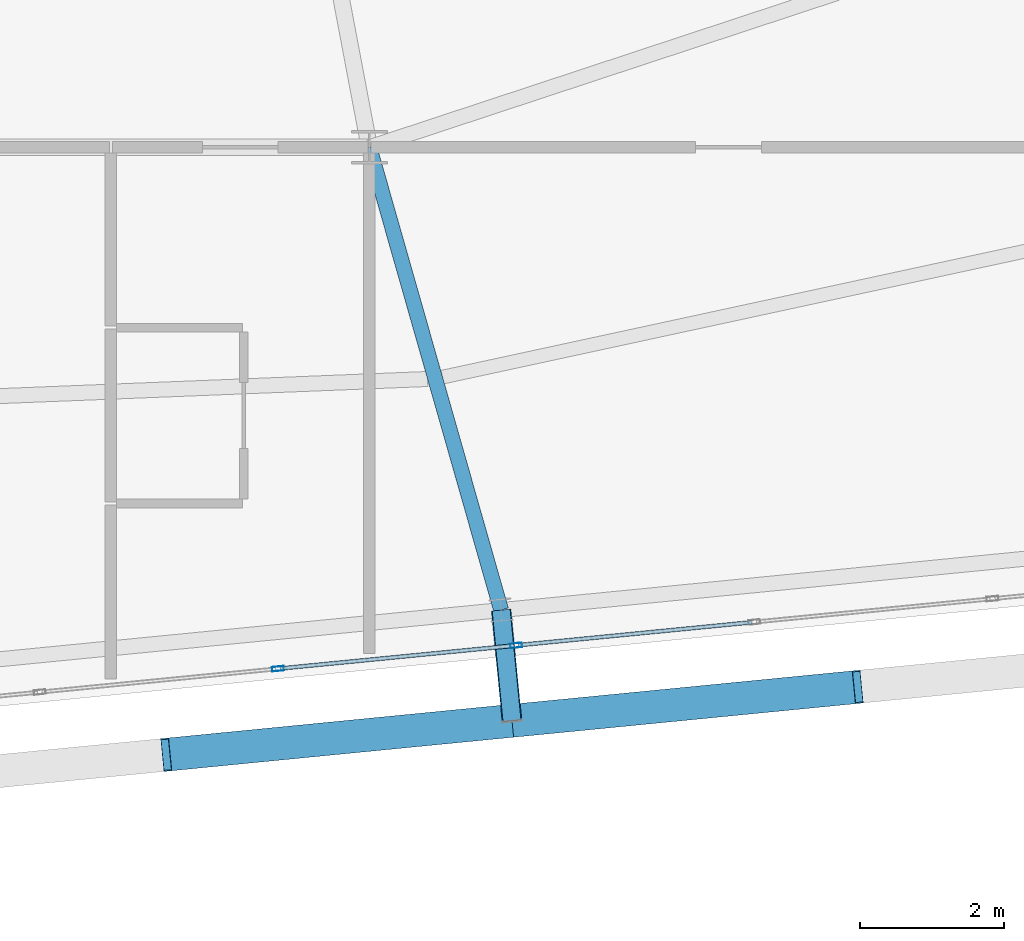
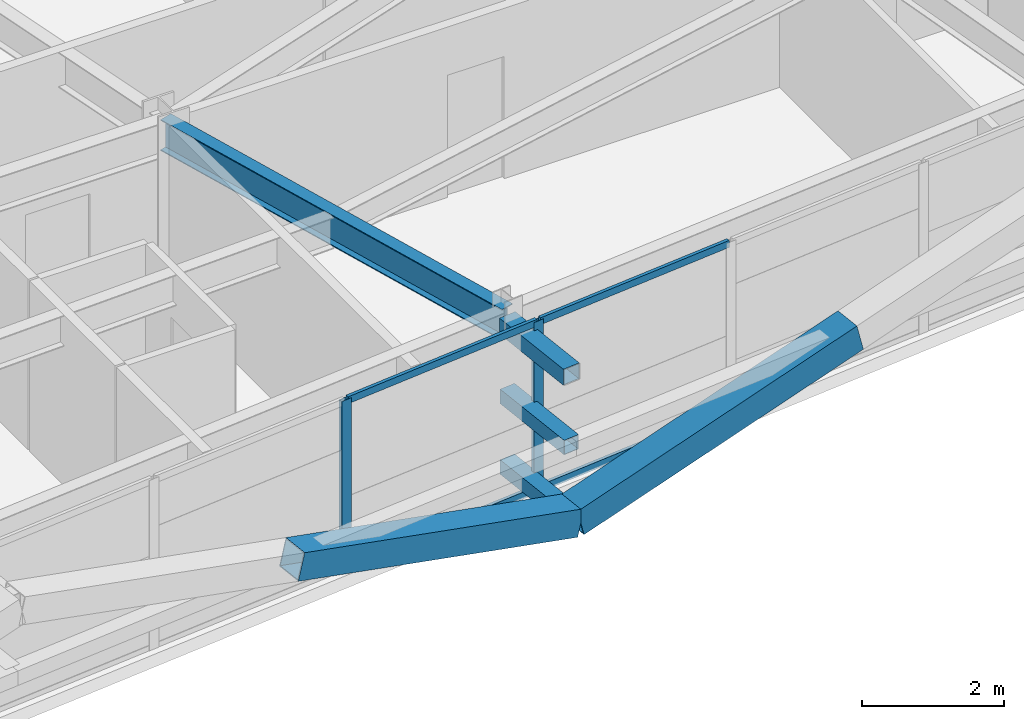
# One storey, part 17 of 52: 11 members, 1 beam, 1 element without a shape of its own.
"""IFC4 building model written with IfcOpenShell, lengths in metres."""

import ifcopenshell
import ifcopenshell.guid

model = None  # the IFC model being written
_history = None  # IfcOwnerHistory: only IFC2X3 demands one
_inside = {}  # id of a spatial element -> (the spatial element, [elements in it])
_under = {}  # id of a project, library or spatial element -> (it, [spatial elements below it])
_declared = {}  # id of a project -> (the project, [libraries it declares])
_typed = {}  # id of a type object -> (the type object, [elements of that type])
_made_of = {}  # id of a material, layer set ... -> (it, [elements and type objects made of it])


def new_model(schema):
    """Start an empty IFC model of exactly this schema.

    Asked for "IFC4X3", IfcOpenShell would pick the latest addendum, in which some entities
    have other attributes; the version numbers below select the first issue.
    IFC2X3 requires an IfcOwnerHistory on every rooted entity: one is made here for all.
    """
    global model, _history
    if schema == "IFC4X3":
        model = ifcopenshell.file(schema_version=(4, 3, 0, 0))
    else:
        model = ifcopenshell.file(schema=schema)
    _inside.clear()
    _under.clear()
    _declared.clear()
    _typed.clear()
    _made_of.clear()
    _history = None
    if model.schema == "IFC2X3":
        org = make("IfcOrganization", Name="unknown")
        user = make(
            "IfcPersonAndOrganization",
            ThePerson=make("IfcPerson", FamilyName="unknown"),
            TheOrganization=org,
        )
        app = make(
            "IfcApplication",
            ApplicationDeveloper=org,
            Version="unknown",
            ApplicationFullName="unknown",
            ApplicationIdentifier="unknown",
        )
        _history = make(
            "IfcOwnerHistory",
            OwningUser=user,
            OwningApplication=app,
            ChangeAction="ADDED",
            CreationDate=0,
        )
    return model


def make(cls, **values):
    """One entity of the class cls with the attributes given. An attribute that is None is left unset."""
    return model.create_entity(
        cls, **{name: value for name, value in values.items() if value is not None}
    )


def rooted(cls, **values):
    """An entity with a GlobalId (a new one), such as an element, a storey or a relation."""
    return make(cls, GlobalId=ifcopenshell.guid.new(), OwnerHistory=_history, **values)


def si_unit(unit_type, name, prefix=None):
    """IfcSIUnit, for example si_unit("LENGTHUNIT", "METRE", prefix="MILLI")."""
    return make("IfcSIUnit", UnitType=unit_type, Prefix=prefix, Name=name)


def assignment(units):
    """IfcUnitAssignment: the units of a project."""
    return None if units is None else make("IfcUnitAssignment", Units=units)


def point(xyz):
    """IfcCartesianPoint."""
    return None if xyz is None else make("IfcCartesianPoint", Coordinates=xyz)


def direction(xyz):
    """IfcDirection."""
    return None if xyz is None else make("IfcDirection", DirectionRatios=xyz)


def frame(location, z_axis=None, x_axis=None):
    """IfcAxis2Placement3D, a coordinate frame: its origin and axes. An axis left out is left unset."""
    return make(
        "IfcAxis2Placement3D",
        Location=point(location),
        Axis=direction(z_axis),
        RefDirection=direction(x_axis),
    )


def frame_2d(location, x_axis=None):
    """IfcAxis2Placement2D, a coordinate frame in the plane: its origin and x axis."""
    return make(
        "IfcAxis2Placement2D", Location=point(location), RefDirection=direction(x_axis)
    )


def origin():
    """The frame at (0, 0, 0) with its axes left unset."""
    return frame((0.0, 0.0, 0.0))


def origin_2d():
    """The frame at (0, 0) in the plane with its x axis left unset."""
    return frame_2d((0.0, 0.0))


def place(relative_to, where):
    """IfcLocalPlacement: puts the frame where relative to a parent placement (None: the world)."""
    return make(
        "IfcLocalPlacement", PlacementRelTo=relative_to, RelativePlacement=where
    )


def context(
    kind, dimensions, precision=None, world=None, true_north=None, identifier=None
):
    """IfcGeometricRepresentationContext, for example the 3D "Model" context."""
    return make(
        "IfcGeometricRepresentationContext",
        ContextIdentifier=identifier,
        ContextType=kind,
        CoordinateSpaceDimension=dimensions,
        Precision=precision,
        WorldCoordinateSystem=world,
        TrueNorth=true_north,
    )


def subcontext(parent, identifier, kind, view, scale=None):
    """IfcGeometricRepresentationSubContext, for example "Body" below "Model"."""
    return make(
        "IfcGeometricRepresentationSubContext",
        ContextIdentifier=identifier,
        ContextType=kind,
        ParentContext=parent,
        TargetScale=scale,
        TargetView=view,
    )


def project(units=None, contexts=None):
    """IfcProject with its units and contexts."""
    return rooted(
        "IfcProject",
        Name="project",
        RepresentationContexts=contexts,
        UnitsInContext=assignment(units),
    )


def spatial(cls, under=None, at=None, **own):
    """A site, building, storey or space (cls), placed at a placement, below another one or the project."""
    s = rooted(cls, ObjectPlacement=at, **own)
    if under is not None:
        _under.setdefault(under.id(), (under, []))[1].append(s)
    return s


def profile(cls, at=None, kind="AREA", **sizes):
    """A parametric profile (cls). Its sizes go by their IFC names, for example OverallWidth=200.0."""
    return make(cls, ProfileType=kind, Position=at, **sizes)


def hollow_rectangle(**sizes):
    """IfcRectangleHollowProfileDef."""
    return profile("IfcRectangleHollowProfileDef", **sizes)


def i_section(**sizes):
    """IfcIShapeProfileDef."""
    return profile("IfcIShapeProfileDef", **sizes)


def extrude(swept, where, along, depth):
    """IfcExtrudedAreaSolid: the profile swept, set in the frame where, extruded along a direction by depth."""
    return make(
        "IfcExtrudedAreaSolid",
        SweptArea=swept,
        Position=where,
        ExtrudedDirection=direction(along),
        Depth=depth,
    )


def shape(context_of_items, identifier, shape_type, items):
    """IfcShapeRepresentation: the items that make up one representation, for example the "Body"."""
    return make(
        "IfcShapeRepresentation",
        ContextOfItems=context_of_items,
        RepresentationIdentifier=identifier,
        RepresentationType=shape_type,
        Items=items,
    )


def source(mapping_origin, context_of_items, identifier, shape_type, items):
    """IfcRepresentationMap: a shape defined once, which mapped items show again and again."""
    return make(
        "IfcRepresentationMap",
        MappingOrigin=mapping_origin,
        MappedRepresentation=shape(context_of_items, identifier, shape_type, items),
    )


def transform(
    local_origin,
    x_axis=None,
    y_axis=None,
    z_axis=None,
    scale=None,
    scale2=None,
    scale3=None,
    uniform=True,
):
    """IfcCartesianTransformationOperator3D, or its non-uniform kind. x_axis, y_axis, z_axis: its Axis1, 2, 3."""
    if uniform:
        return make(
            "IfcCartesianTransformationOperator3D",
            Axis1=direction(x_axis),
            Axis2=direction(y_axis),
            LocalOrigin=point(local_origin),
            Scale=scale,
            Axis3=direction(z_axis),
        )
    return make(
        "IfcCartesianTransformationOperator3DnonUniform",
        Axis1=direction(x_axis),
        Axis2=direction(y_axis),
        LocalOrigin=point(local_origin),
        Scale=scale,
        Axis3=direction(z_axis),
        Scale2=scale2,
        Scale3=scale3,
    )


def mapped(mapping_source, mapping_target):
    """IfcMappedItem: shows the shape of a source again, moved by a transform."""
    return make(
        "IfcMappedItem", MappingSource=mapping_source, MappingTarget=mapping_target
    )


def material(Name=None, Category=None):
    """IfcMaterial."""
    return make("IfcMaterial", Name=Name, Category=Category)


def layer(
    of_material, thickness, ventilated=None, Name=None, Category=None, Priority=None
):
    """IfcMaterialLayer: one layer of a wall or slab, of a material (None: an air gap)."""
    return make(
        "IfcMaterialLayer",
        Material=of_material,
        LayerThickness=thickness,
        IsVentilated=ventilated,
        Name=Name,
        Category=Category,
        Priority=Priority,
    )


def layer_set(layers, Name=None):
    """IfcMaterialLayerSet."""
    return make("IfcMaterialLayerSet", MaterialLayers=layers, LayerSetName=Name)


def material_profile(
    of_material, cross_section, Name=None, Category=None, Priority=None
):
    """IfcMaterialProfile: a cross section and its material."""
    return make(
        "IfcMaterialProfile",
        Name=Name,
        Material=of_material,
        Profile=cross_section,
        Priority=Priority,
        Category=Category,
    )


def profile_set(profiles, Name=None, composite=None):
    """IfcMaterialProfileSet."""
    return make(
        "IfcMaterialProfileSet",
        Name=Name,
        MaterialProfiles=profiles,
        CompositeProfile=composite,
    )


def made_of(thing, what):
    """Note that an element or type object is made of a material, layer set ...; save() writes the relation."""
    if what is not None:
        _made_of.setdefault(what.id(), (what, []))[1].append(thing)
    return thing


def type_object(cls, material=None, **own):
    """A type object (cls), such as IfcWallType, which elements share."""
    return made_of(rooted(cls, **own), material)


def element(
    cls,
    number,
    at=None,
    inside=None,
    cuts=None,
    type_object=None,
    material=None,
    context=None,
    identifier="Body",
    shape_type=None,
    held_by="IfcProductDefinitionShape",
    body=None,
    shapes=None,
    **own,
):
    """One element of the class cls, such as IfcWall. Its Tag is "e" and its number.

    at: its placement. inside: the storey or other place that contains it. cuts: it is an
    opening in that element (IfcRelVoidsElement). A single representation is given by context,
    identifier, shape_type and body (its items); several are given by shapes. held_by: the class
    of the entity that holds the representations. save() writes the other relations.
    """
    e = rooted(cls, Tag="e%d" % number, ObjectPlacement=at, **own)
    if body is not None:
        shapes = [shape(context, identifier, shape_type, body)]
    if shapes is not None:
        e.Representation = make(held_by, Representations=shapes)
    if inside is not None:
        _inside.setdefault(inside.id(), (inside, []))[1].append(e)
    if cuts is not None:
        rooted(
            "IfcRelVoidsElement", RelatingBuildingElement=cuts, RelatedOpeningElement=e
        )
    if type_object is not None:
        _typed.setdefault(type_object.id(), (type_object, []))[1].append(e)
    return made_of(e, material)


def aggregate(whole, parts):
    """IfcRelAggregates: a whole, such as a stair, and the parts it consists of."""
    return rooted("IfcRelAggregates", RelatingObject=whole, RelatedObjects=parts)


def save(model, path):
    """Write the relations noted so far, then the file.

    IfcRelAggregates (storeys below a building ...), IfcRelContainedInSpatialStructure (elements
    in a storey), IfcRelDefinesByType, IfcRelAssociatesMaterial and IfcRelDeclares: one each for
    every whole, place, type object, material and project.
    """
    for whole, parts in _under.values():
        aggregate(whole, parts)
    for where, things in _inside.values():
        rooted(
            "IfcRelContainedInSpatialStructure",
            RelatedElements=things,
            RelatingStructure=where,
        )
    for kind, things in _typed.values():
        rooted("IfcRelDefinesByType", RelatedObjects=things, RelatingType=kind)
    for what, things in _made_of.values():
        rooted("IfcRelAssociatesMaterial", RelatedObjects=things, RelatingMaterial=what)
    for by, libraries in _declared.values():
        rooted("IfcRelDeclares", RelatingContext=by, RelatedDefinitions=libraries)
    model.write(path)


model = new_model("IFC4")

# Units and contexts
model_context = context("Model", 3, precision=1e-05, world=origin(), true_north=direction((0.0, 1.0)))
body_context = subcontext(model_context, "Body", "Model", "MODEL_VIEW")
ifc_project = project(units=[si_unit("LENGTHUNIT", "METRE"), si_unit("AREAUNIT", "SQUARE_METRE"), si_unit("VOLUMEUNIT", "CUBIC_METRE"), si_unit("PLANEANGLEUNIT", "RADIAN"), si_unit("MASSUNIT", "GRAM", prefix="KILO")], contexts=[model_context])

# Site, building, storey
site_placement = place(None, origin())
site = spatial("IfcSite", under=ifc_project, at=site_placement, CompositionType="ELEMENT")
building_placement = place(site_placement, origin())
building = spatial("IfcBuilding", under=site, at=building_placement, Name="Taldren Reach Tower", CompositionType="ELEMENT")
storey_placement = place(building_placement, frame((0.0, 0.0, 96.60009765625)))
storey = spatial("IfcBuildingStorey", under=building, at=storey_placement, Name="L29", CompositionType="ELEMENT", Elevation=96.60009765625)

# Members
ifc_material_1 = material(Name="Steel Gr 450 (C450L0)", Category="steel")
ifc_material_profile_1 = material_profile(ifc_material_1, hollow_rectangle(XDim=0.27490234375, YDim=0.27490234375, WallThickness=0.00927734375, at=origin_2d()), Name="275x275x9.3SHS")
ifc_profile_set_1 = profile_set([ifc_material_profile_1], Name="Steel Gr 450 (C450L0)")
member_type_1 = type_object("IfcMemberType", Name="MB-TIE273", PredefinedType="STRUT", material=ifc_profile_set_1)
shared_shape_1 = source(origin(), body_context, "Body", "SweptSolid", [
    extrude(hollow_rectangle(XDim=0.27490234375, YDim=0.27490234375, WallThickness=0.00927734375, at=origin_2d()), origin(), (0.0, 0.0, 1.0), 1.5498046875),
])
member_1_placement = place(storey_placement, frame((43.83544921875, 2.75390625, 2.64990234375), z_axis=(0.097663201064, -0.995219523099, 0.0), x_axis=(0.995219523099, 0.097663201064, 0.0)))
element("IfcMember", 1, at=member_1_placement, inside=storey, type_object=member_type_1, Name="Exoskeleton diaphragm tie strut B2-S4 L29", PredefinedType="STRUT", context=body_context, shape_type="MappedRepresentation", body=[
    mapped(shared_shape_1, transform((0.0, 0.0, 0.0), scale=1.0)),
])
ifc_material_2 = material(Name="Steel Gr 350 (C350L0)", Category="steel")
ifc_material_profile_2 = material_profile(ifc_material_2, hollow_rectangle(XDim=0.25, YDim=0.25, WallThickness=0.010009765625, at=origin_2d()), Name="250x250x10.0SHS")
ifc_profile_set_2 = profile_set([ifc_material_profile_2], Name="Steel Gr 350 (C350L0)")
member_type_2 = type_object("IfcMemberType", Name="MB-POST250", PredefinedType="POST", material=ifc_profile_set_2)
shared_shape_2 = source(origin(), body_context, "Body", "SweptSolid", [
    extrude(hollow_rectangle(XDim=0.25, YDim=0.25, WallThickness=0.010009765625, at=origin_2d()), origin(), (0.0, 0.0, 1.0), 1.5498046875),
])
for number, where, z_axis, x_axis, name in (
    (2, (43.83544921875, 2.75390625, 0.219970703125), (0.097663201064, -0.995219523099, 0.0), (0.995219523099, 0.097663201064, 0.0), "Exoskeleton base diaphragm tie strut B2-S4 L29"),
    (3, (43.83544921875, 2.75390625, 1.434814453125), (0.097663201064, -0.995219523099, 0.0), (0.995219523099, 0.097663201064, 0.0), "Exoskeleton mid-tier diaphragm tie B2-S4 L29"),
):
    element("IfcMember", number, at=place(storey_placement, frame(where, z_axis=z_axis, x_axis=x_axis)), inside=storey, type_object=member_type_2, Name=name, PredefinedType="POST", context=body_context, shape_type="MappedRepresentation", body=[
        mapped(shared_shape_2, transform((0.0, 0.0, 0.0), scale=1.0)),
    ])

# Beam
ifc_material_3 = material(Name="Steel Gr 350 (350PLUS)", Category="steel")
ifc_material_profile_3 = material_profile(ifc_material_3, i_section(OverallWidth=0.208984375, OverallDepth=0.532958984375, WebThickness=0.01025390625, FlangeThickness=0.015625, at=origin_2d()), Name="530UB92.4")
ifc_profile_set_3 = profile_set([ifc_material_profile_3], Name="Steel Gr 350 (350PLUS)")
beam_type = type_object("IfcBeamType", Name="BM-UB530A", PredefinedType="BEAM", material=ifc_profile_set_3)
shared_shape_3 = source(origin(), body_context, "Body", "SweptSolid", [
    extrude(i_section(OverallWidth=0.208984375, OverallDepth=0.532958984375, WebThickness=0.01025390625, FlangeThickness=0.015625, at=origin_2d()), origin(), (0.0, 0.0, 1.0), 6.7021484375),
])
beam_placement = place(storey_placement, frame((42.0, 9.199951171875, 2.663330078125), z_axis=(0.273855026091, -0.961770983491, 0.0), x_axis=(0.961770983491, 0.273855026091, 0.0)))
element("IfcBeam", 4, at=beam_placement, inside=storey, type_object=beam_type, Name="Primary floor girder B2-S4 L29", PredefinedType="BEAM", context=body_context, shape_type="MappedRepresentation", body=[
    mapped(shared_shape_3, transform((0.0, 0.0, 0.0), scale=1.0)),
])

# Members
ifc_material_profile_4 = material_profile(ifc_material_1, hollow_rectangle(XDim=0.4599609375, YDim=0.4599609375, WallThickness=0.01611328125, at=origin_2d()), Name="460x460x16.0SHS")
ifc_profile_set_4 = profile_set([ifc_material_profile_4], Name="Steel Gr 450 (C450L0)")
member_type_3 = type_object("IfcMemberType", Name="MB-EXO457", PredefinedType="BRACE", material=ifc_profile_set_4)
shared_shape_4 = source(origin(), body_context, "Body", "SweptSolid", [
    extrude(hollow_rectangle(XDim=0.4599609375, YDim=0.4599609375, WallThickness=0.01611328125, at=origin_2d()), origin(), (0.0, 0.0, 1.0), 4.990234375),
])
for number, where, z_axis, x_axis, name in (
    (5, (43.98681640625, 1.21142578125, 0.219970703125), (-0.965282554799, -0.094669120301, 0.243448859234), (0.097605711627, -0.995225162995, 0.0), "Exoskeleton Diagrid Brace B2-S3 L29"),
    (6, (43.98681640625, 1.21142578125, 0.219970703125), (0.965287024526, 0.094620633828, 0.24344998652), (-0.097555749586, 0.995230061706, 0.0), "Exoskeleton Diagrid Brace B2-S4 L29"),
):
    element("IfcMember", number, at=place(storey_placement, frame(where, z_axis=z_axis, x_axis=x_axis)), inside=storey, type_object=member_type_3, Name=name, PredefinedType="BRACE", context=body_context, shape_type="MappedRepresentation", body=[
        mapped(shared_shape_4, transform((0.0, 0.0, 0.0), scale=1.0)),
    ])

# Curtain wall, members
ifc_material_4 = material(Name="Aluminium and Low-E Glass Unitised System", Category="aluminium")
ifc_layer = layer(ifc_material_4, 0.159912109375)
ifc_layer_set = layer_set([ifc_layer], Name="Aluminium and Low-E Glass Unitised System")
curtain_wall_type = type_object("IfcCurtainWallType", Name="CW-SYS-3", PredefinedType="NOTDEFINED", material=ifc_layer_set)
curtain_wall_placement = place(storey_placement, origin())
curtain_wall = element("IfcCurtainWall", 7, at=curtain_wall_placement, inside=storey, type_object=curtain_wall_type, Name="Unitised curtain wall CW-L29-S", PredefinedType="NOTDEFINED")
ifc_material_5 = material(Name="Anodised Aluminium 6063-T6", Category="aluminium")
ifc_material_profile_5 = material_profile(ifc_material_5, hollow_rectangle(XDim=0.06494140625, YDim=0.1650390625, WallThickness=0.00390625, at=origin_2d()), Name="ALU-165x65x4RHS")
ifc_profile_set_5 = profile_set([ifc_material_profile_5], Name="Anodised Aluminium 6063-T6")
member_type_4 = type_object("IfcMemberType", Name="CW-MUL-165", PredefinedType="MULLION", material=ifc_profile_set_5)
shared_shape_5 = source(origin(), body_context, "Body", "SweptSolid", [
    extrude(hollow_rectangle(XDim=0.06494140625, YDim=0.1650390625, WallThickness=0.00390625, at=origin_2d()), origin(), (0.0, 0.0, 1.0), 2.929931640625),
])
member_2_placement = place(storey_placement, frame((40.72705078125, 1.936767578125, 0.0), z_axis=(0.0, 0.0, 1.0), x_axis=(-0.097582999046, 0.995227390247, 0.0)))
member_2 = element("IfcMember", 8, at=member_2_placement, type_object=member_type_4, Name="CW-3 mullion 9", PredefinedType="MULLION", context=body_context, shape_type="MappedRepresentation", body=[
    mapped(shared_shape_5, transform((0.0, 0.0, 0.0), scale=1.0)),
])
member_3_placement = place(storey_placement, frame((44.044677734375, 2.261962890625, 0.0), z_axis=(0.0, 0.0, 1.0), x_axis=(-0.097582999046, 0.995227390247, 0.0)))
member_3 = element("IfcMember", 9, at=member_3_placement, type_object=member_type_4, Name="CW-3 mullion 10", PredefinedType="MULLION", context=body_context, shape_type="MappedRepresentation", body=[
    mapped(shared_shape_5, transform((0.0, 0.0, 0.0), scale=1.0)),
])
ifc_material_profile_6 = material_profile(ifc_material_5, hollow_rectangle(XDim=0.054931640625, YDim=0.1201171875, WallThickness=0.0029296875, at=origin_2d()), Name="ALU-120x55x3RHS")
ifc_profile_set_6 = profile_set([ifc_material_profile_6], Name="Anodised Aluminium 6063-T6")
member_type_5 = type_object("IfcMemberType", Name="CW-TRN-135", PredefinedType="USERDEFINED", material=ifc_profile_set_6)
shared_shape_6 = source(origin(), body_context, "Body", "SweptSolid", [
    extrude(hollow_rectangle(XDim=0.054931640625, YDim=0.1201171875, WallThickness=0.0029296875, at=origin_2d()), origin(), (0.0, 0.0, 1.0), 3.268310546875),
])
member_4_placement = place(storey_placement, frame((40.759521484375, 1.93994140625, 0.02734375), z_axis=(0.99522980512, 0.097558367146, 0.0), x_axis=(-0.097558367146, 0.99522980512, 0.0)))
member_4 = element("IfcMember", 10, at=member_4_placement, type_object=member_type_5, Name="CW-3 transom 9.1", ObjectType="TRANSOM", PredefinedType="USERDEFINED", context=body_context, shape_type="MappedRepresentation", body=[
    mapped(shared_shape_6, transform((0.0, 0.0, 0.0), scale=1.0)),
])
member_5_placement = place(storey_placement, frame((40.759521484375, 1.93994140625, 2.90234375), z_axis=(0.99522980512, 0.097558367146, 0.0), x_axis=(-0.097558367146, 0.99522980512, 0.0)))
member_5 = element("IfcMember", 11, at=member_5_placement, type_object=member_type_5, Name="CW-3 transom 9.2", ObjectType="TRANSOM", PredefinedType="USERDEFINED", context=body_context, shape_type="MappedRepresentation", body=[
    mapped(shared_shape_6, transform((0.0, 0.0, 0.0), scale=1.0)),
])
member_6_placement = place(storey_placement, frame((44.076904296875, 2.26513671875, 0.02734375), z_axis=(0.99522980512, 0.097558367146, 0.0), x_axis=(-0.097558367146, 0.99522980512, 0.0)))
member_6 = element("IfcMember", 12, at=member_6_placement, type_object=member_type_5, Name="CW-3 transom 10.1", ObjectType="TRANSOM", PredefinedType="USERDEFINED", context=body_context, shape_type="MappedRepresentation", body=[
    mapped(shared_shape_6, transform((0.0, 0.0, 0.0), scale=1.0)),
])
member_7_placement = place(storey_placement, frame((44.076904296875, 2.26513671875, 2.90234375), z_axis=(0.99522980512, 0.097558367146, 0.0), x_axis=(-0.097558367146, 0.99522980512, 0.0)))
member_7 = element("IfcMember", 13, at=member_7_placement, type_object=member_type_5, Name="CW-3 transom 10.2", ObjectType="TRANSOM", PredefinedType="USERDEFINED", context=body_context, shape_type="MappedRepresentation", body=[
    mapped(shared_shape_6, transform((0.0, 0.0, 0.0), scale=1.0)),
])
aggregate(curtain_wall, [member_2, member_3, member_4, member_5, member_6, member_7])

save(model, "model.ifc")
